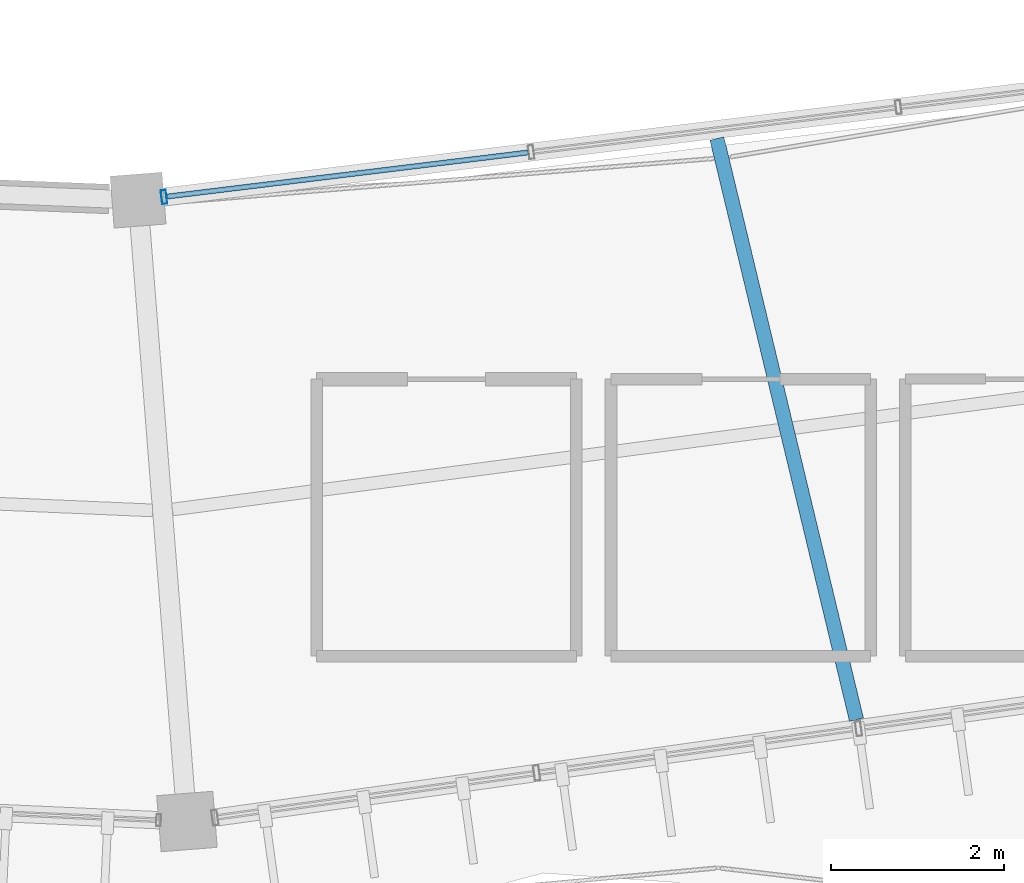
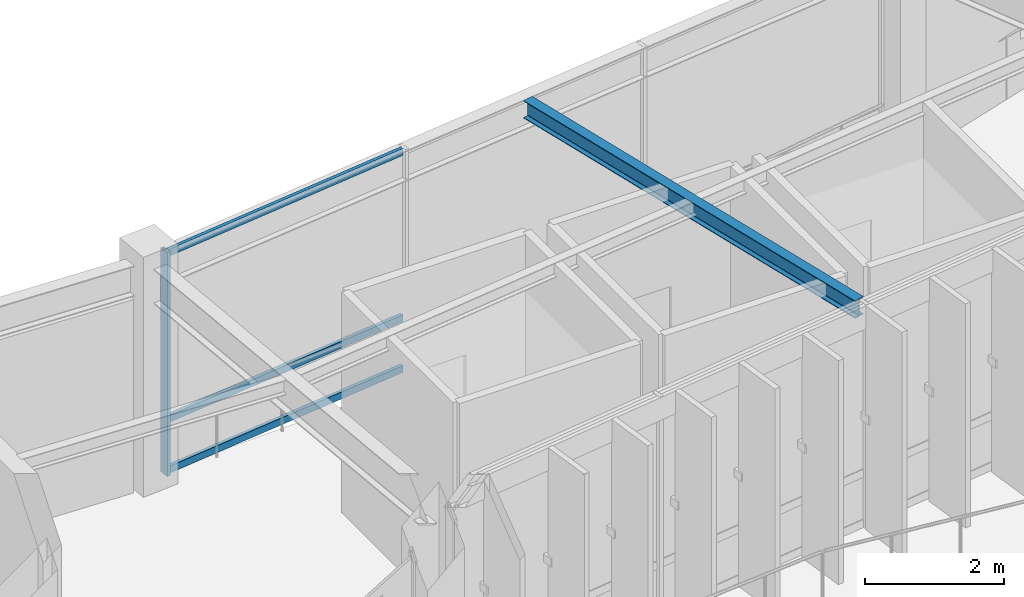
# One storey, part 47 of 114: 4 members, 1 beam, 1 element without a shape of its own.
"""IFC4 building model written with IfcOpenShell, lengths in metres."""

from ifc_helpers import new_model, si_unit, direction, frame, origin, origin_2d, place, context, subcontext, project, spatial, hollow_rectangle, i_section, extrude, material, material_profile, profile_set, type_object, element, aggregate, save


model = new_model("IFC4")

# Units and contexts
model_context = context("Model", 3, precision=1e-05, world=origin(), true_north=direction((0.0, 1.0)))
body_context = subcontext(model_context, "Body", "Model", "MODEL_VIEW")
ifc_project = project(units=[si_unit("LENGTHUNIT", "METRE"), si_unit("AREAUNIT", "SQUARE_METRE"), si_unit("VOLUMEUNIT", "CUBIC_METRE"), si_unit("PLANEANGLEUNIT", "RADIAN"), si_unit("MASSUNIT", "GRAM", prefix="KILO"), si_unit("THERMODYNAMICTEMPERATUREUNIT", "KELVIN"), si_unit("POWERUNIT", "WATT")], contexts=[model_context])

# Site, building, storey
site_placement = place(None, origin())
site = spatial("IfcSite", under=ifc_project, at=site_placement, CompositionType="ELEMENT")
building_placement = place(site_placement, origin())
building = spatial("IfcBuilding", under=site, at=building_placement, Name="Darbajah Civic Hall", CompositionType="ELEMENT")
storey_placement = place(building_placement, frame((0.0, 0.0, 13.800048828125)))
storey = spatial("IfcBuildingStorey", under=building, at=storey_placement, Name="L03", CompositionType="ELEMENT", Elevation=13.800048828125)

# Curtain wall, members
ifc_material_1 = material(Name="Anodised Bronze Aluminium and Low-E Glazing", Category="aluminium")
curtain_wall_type = type_object("IfcCurtainWallType", Name="Unitised Curtain Wall CW-50 12800x3900", PredefinedType="USERDEFINED", material=ifc_material_1)
curtain_wall_placement = place(storey_placement, origin())
curtain_wall = element("IfcCurtainWall", 1, at=curtain_wall_placement, inside=storey, type_object=curtain_wall_type, Name="L03 unitised curtain wall CW-V1I-L03-15", ObjectType="UNITISED CURTAIN WALL", PredefinedType="USERDEFINED")
ifc_material_2 = material(Name="Anodised Bronze Aluminium", Category="aluminium")
ifc_material_profile_1 = material_profile(ifc_material_2, hollow_rectangle(XDim=0.06005859375, YDim=0.159912109375, WallThickness=0.00341796875, at=origin_2d()), Name="ALU MULLION 60x160")
ifc_profile_set_1 = profile_set([ifc_material_profile_1], Name="Anodised Bronze Aluminium")
member_type_1 = type_object("IfcMemberType", Name="ALU MULLION 60x160", PredefinedType="MULLION", material=ifc_profile_set_1)
member_1_placement = place(storey_placement, frame((92.836181640625, 67.605224609375, 0.0), z_axis=(0.0, 0.0, 1.0), x_axis=(0.992609826221, 0.121349630774, 0.0)))
member_1 = element("IfcMember", 2, at=member_1_placement, type_object=member_type_1, Name="CW-V1I-L03-15 mullion 1", PredefinedType="MULLION", context=body_context, shape_type="SweptSolid", body=[
    extrude(hollow_rectangle(XDim=0.06005859375, YDim=0.159912109375, WallThickness=0.00341796875, at=origin_2d()), origin(), (0.0, 0.0, 1.0), 3.919921875),
])
ifc_material_profile_2 = material_profile(ifc_material_2, hollow_rectangle(XDim=0.06005859375, YDim=0.1201171875, WallThickness=0.003173828125, at=origin_2d()), Name="ALU TRANSOM 60x120")
ifc_profile_set_2 = profile_set([ifc_material_profile_2], Name="Anodised Bronze Aluminium")
member_type_2 = type_object("IfcMemberType", Name="ALU TRANSOM 60x120", PredefinedType="USERDEFINED", material=ifc_profile_set_2)
member_2_placement = place(storey_placement, frame((92.87109375, 67.609619140625, 0.06005859375), z_axis=(0.992611963514, 0.121332146974, 0.0), x_axis=(-0.121332146974, 0.992611963514, 0.0)))
member_2 = element("IfcMember", 3, at=member_2_placement, type_object=member_type_2, Name="CW-V1I-L03-15 transom 1.1", ObjectType="TRANSOM", PredefinedType="USERDEFINED", context=body_context, shape_type="SweptSolid", body=[
    extrude(hollow_rectangle(XDim=0.06005859375, YDim=0.1201171875, WallThickness=0.003173828125, at=origin_2d()), origin(), (0.0, 0.0, 1.0), 4.203369140625),
])
member_3_placement = place(storey_placement, frame((92.87109375, 67.609619140625, 0.949951171875), z_axis=(0.992611963514, 0.121332146974, 0.0), x_axis=(-0.121332146974, 0.992611963514, 0.0)))
member_3 = element("IfcMember", 4, at=member_3_placement, type_object=member_type_2, Name="CW-V1I-L03-15 transom 1.2", ObjectType="TRANSOM", PredefinedType="USERDEFINED", context=body_context, shape_type="SweptSolid", body=[
    extrude(hollow_rectangle(XDim=0.06005859375, YDim=0.1201171875, WallThickness=0.003173828125, at=origin_2d()), origin(), (0.0, 0.0, 1.0), 4.203369140625),
])
member_4_placement = place(storey_placement, frame((92.87109375, 67.609619140625, 3.85986328125), z_axis=(0.992611963514, 0.121332146974, 0.0), x_axis=(-0.121332146974, 0.992611963514, 0.0)))
member_4 = element("IfcMember", 5, at=member_4_placement, type_object=member_type_2, Name="CW-V1I-L03-15 transom 1.3", ObjectType="TRANSOM", PredefinedType="USERDEFINED", context=body_context, shape_type="SweptSolid", body=[
    extrude(hollow_rectangle(XDim=0.06005859375, YDim=0.1201171875, WallThickness=0.003173828125, at=origin_2d()), origin(), (0.0, 0.0, 1.0), 4.203369140625),
])
aggregate(curtain_wall, [member_1, member_2, member_3, member_4])

# Beam
ifc_material_3 = material(Name="Steel S355JR", Category="steel")
ifc_material_profile_3 = material_profile(ifc_material_3, i_section(OverallWidth=0.165771484375, OverallDepth=0.306640625, WebThickness=0.006591796875, FlangeThickness=0.01171875, FilletRadius=0.0087890625, at=origin_2d()), Name="UB 305x165x46")
ifc_profile_set_3 = profile_set([ifc_material_profile_3], Name="Steel S355JR")
beam_type = type_object("IfcBeamType", Name="UB 305x165x46", PredefinedType="JOIST", material=ifc_profile_set_3)
beam_placement = place(storey_placement, frame((99.2236328125, 68.280029296875, 3.7666015625), z_axis=(0.233446518106, -0.972369643286, 0.0), x_axis=(0.972369643286, 0.233446518106, 0.0)))
element("IfcBeam", 6, at=beam_placement, inside=storey, type_object=beam_type, Name="L03 beam SJ-305", PredefinedType="JOIST", context=body_context, shape_type="SweptSolid", body=[
    extrude(i_section(OverallWidth=0.165771484375, OverallDepth=0.306640625, WebThickness=0.006591796875, FlangeThickness=0.01171875, FilletRadius=0.0087890625, at=origin_2d()), origin(), (0.0, 0.0, 1.0), 6.9033203125),
])

save(model, "model.ifc")
